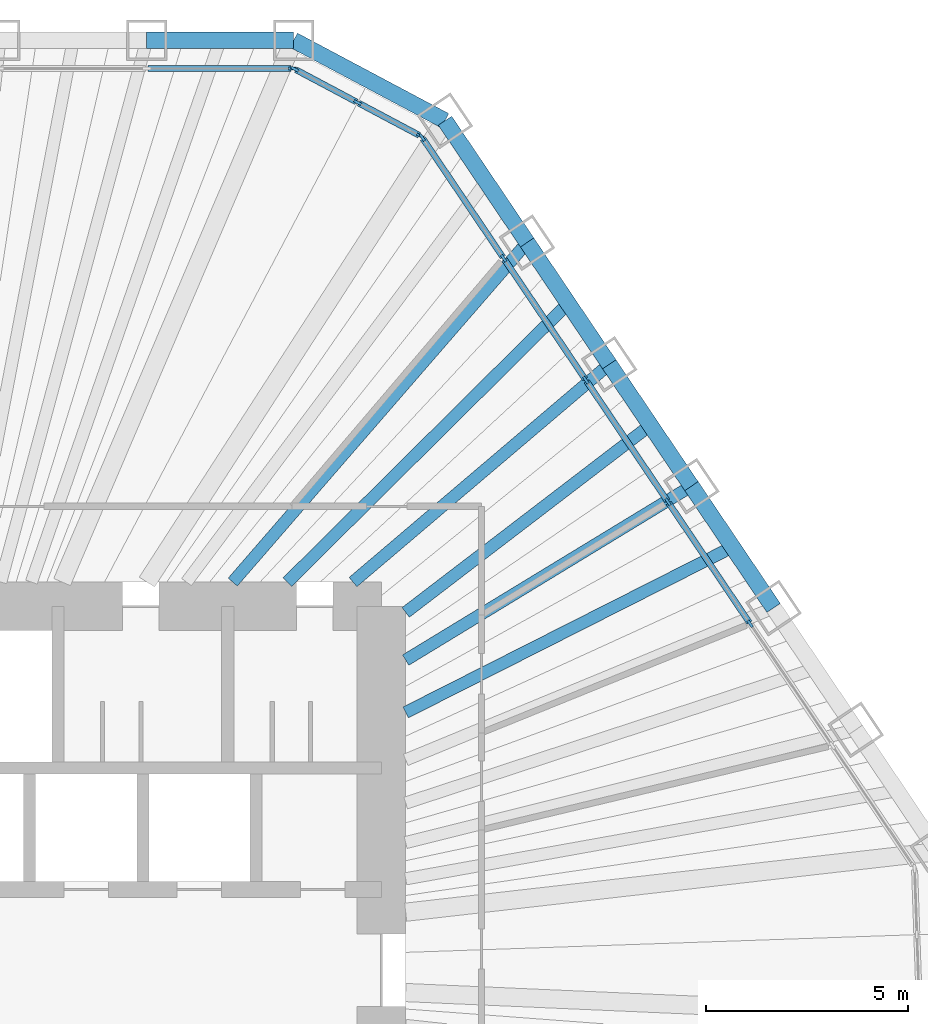
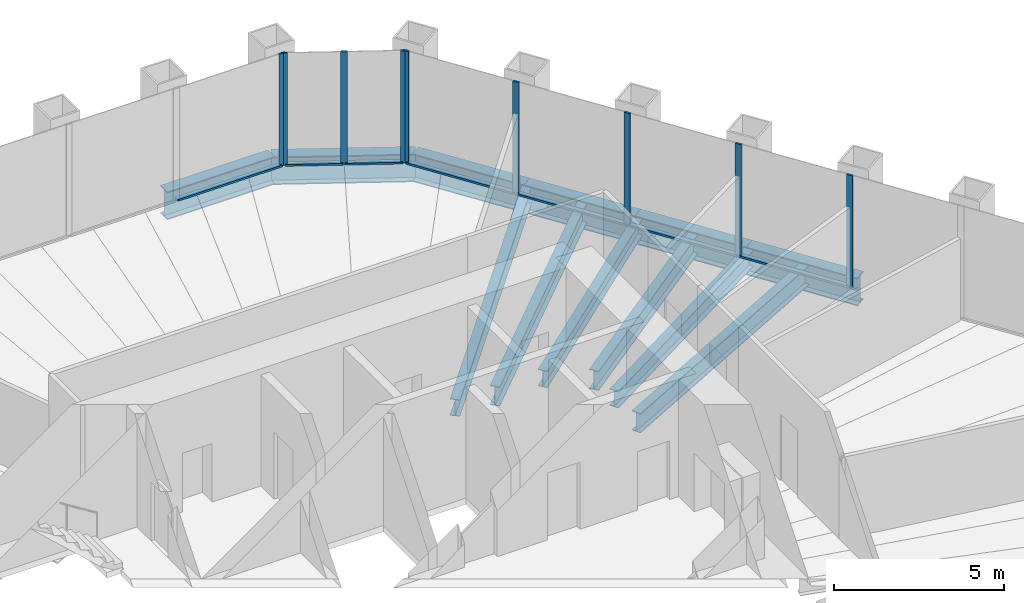
# One storey, part 7 of 13: 16 members, 12 beams, 3 elements without a shape of their own.
"""IFC4 building model written with IfcOpenShell, lengths in metres."""

from ifc_helpers import new_model, si_unit, direction, frame, origin, origin_2d, place, context, subcontext, project, spatial, rectangle, i_section, extrude, material, material_profile, profile_set, type_object, element, aggregate, save


model = new_model("IFC4")

# Units and contexts
model_context = context("Model", 3, precision=1e-05, world=origin(), true_north=direction((0.0, 1.0)))
body_context = subcontext(model_context, "Body", "Model", "MODEL_VIEW")
ifc_project = project(units=[si_unit("LENGTHUNIT", "METRE"), si_unit("AREAUNIT", "SQUARE_METRE"), si_unit("VOLUMEUNIT", "CUBIC_METRE"), si_unit("PLANEANGLEUNIT", "RADIAN"), si_unit("MASSUNIT", "GRAM", prefix="KILO")], contexts=[model_context])

# Site, building, storey
site_placement = place(None, origin())
site = spatial("IfcSite", under=ifc_project, at=site_placement, CompositionType="ELEMENT")
building_placement = place(site_placement, origin())
building = spatial("IfcBuilding", under=site, at=building_placement, Name="Qingtian Harvest Tower", CompositionType="ELEMENT")
storey_placement = place(building_placement, frame((0.0, 0.0, 247.60009765625)))
storey = spatial("IfcBuildingStorey", under=building, at=storey_placement, Name="L54", CompositionType="ELEMENT", Elevation=247.60009765625)

# Beams
ifc_material_1 = material(Name="Steel SN490B", Category="steel")
ifc_material_profile_1 = material_profile(ifc_material_1, i_section(OverallWidth=0.300048828125, OverallDepth=0.60009765625, WebThickness=0.011962890625, FlangeThickness=0.02001953125, at=origin_2d()), Name="H600x300x12x20")
ifc_profile_set_1 = profile_set([ifc_material_profile_1], Name="Steel SN490B")
beam_type_1 = type_object("IfcBeamType", Name="Floor beam FB3 H600x300x12x20", PredefinedType="BEAM", material=ifc_profile_set_1)
beam_1_placement = place(storey_placement, frame((15.603271484375, 17.998046875, -0.47021484375), z_axis=(-0.655048444444, -0.755586881458, 0.0), x_axis=(0.755586881458, -0.655048444444, 0.0)))
element("IfcBeam", 1, at=beam_1_placement, inside=storey, type_object=beam_type_1, Name="Floor beam FB3 NE1", PredefinedType="BEAM", context=body_context, shape_type="SweptSolid", body=[
    extrude(i_section(OverallWidth=0.300048828125, OverallDepth=0.60009765625, WebThickness=0.011962890625, FlangeThickness=0.02001953125, at=origin_2d()), origin(), (0.0, 0.0, 1.0), 11.114501953125),
])
beam_2_placement = place(storey_placement, frame((17.635009765625, 14.985595703125, -0.47021484375), z_axis=(-0.762028398305, -0.647543604846, 0.0), x_axis=(0.647543604846, -0.762028398305, 0.0)))
element("IfcBeam", 2, at=beam_2_placement, inside=storey, type_object=beam_type_1, Name="Floor beam FB3 NE2", PredefinedType="BEAM", context=body_context, shape_type="SweptSolid", body=[
    extrude(i_section(OverallWidth=0.300048828125, OverallDepth=0.60009765625, WebThickness=0.011962890625, FlangeThickness=0.02001953125, at=origin_2d()), origin(), (0.0, 0.0, 1.0), 8.31689453125),
])
beam_3_placement = place(storey_placement, frame((19.6669921875, 11.97314453125, -0.47021484375), z_axis=(-0.854163224424, -0.520004986554, 0.0), x_axis=(0.520004986554, -0.854163224424, 0.0)))
element("IfcBeam", 3, at=beam_3_placement, inside=storey, type_object=beam_type_1, Name="Floor beam FB3 NE3", PredefinedType="BEAM", context=body_context, shape_type="SweptSolid", body=[
    extrude(i_section(OverallWidth=0.300048828125, OverallDepth=0.60009765625, WebThickness=0.011962890625, FlangeThickness=0.02001953125, at=origin_2d()), origin(), (0.0, 0.0, 1.0), 8.2734375),
])
ifc_material_2 = material(Name="Steel SN490B", Category="steel")
ifc_material_profile_2 = material_profile(ifc_material_2, i_section(OverallWidth=0.300048828125, OverallDepth=0.699951171875, WebThickness=0.012939453125, FlangeThickness=0.02392578125, at=origin_2d()), Name="H700x300x13x24")
ifc_profile_set_2 = profile_set([ifc_material_profile_2], Name="Steel SN490B")
beam_type_2 = type_object("IfcBeamType", Name="Floor joist J2 H700x300x13x24", PredefinedType="JOIST", material=ifc_profile_set_2)
beam_4_placement = place(storey_placement, frame((16.619140625, 16.49169921875, -0.52001953125), z_axis=(-0.709833839663, -0.704369164622, 0.0), x_axis=(0.704369164622, -0.709833839663, 0.0)))
element("IfcBeam", 4, at=beam_4_placement, inside=storey, type_object=beam_type_2, Name="Floor joist J2 NE1", PredefinedType="JOIST", context=body_context, shape_type="SweptSolid", body=[
    extrude(i_section(OverallWidth=0.300048828125, OverallDepth=0.699951171875, WebThickness=0.012939453125, FlangeThickness=0.02392578125, at=origin_2d()), origin(), (0.0, 0.0, 1.0), 9.7841796875),
])
beam_5_placement = place(storey_placement, frame((18.651123046875, 13.4794921875, -0.52001953125), z_axis=(-0.794222288871, -0.607627316585, 0.0), x_axis=(0.607627316585, -0.794222288871, 0.0)))
element("IfcBeam", 5, at=beam_5_placement, inside=storey, type_object=beam_type_2, Name="Floor joist J2 NE2", PredefinedType="JOIST", context=body_context, shape_type="SweptSolid", body=[
    extrude(i_section(OverallWidth=0.300048828125, OverallDepth=0.699951171875, WebThickness=0.012939453125, FlangeThickness=0.02392578125, at=origin_2d()), origin(), (0.0, 0.0, 1.0), 7.618896484375),
])
beam_6_placement = place(storey_placement, frame((20.682861328125, 10.467041015625, -0.52001953125), z_axis=(-0.892244443914, -0.451552712652, 0.0), x_axis=(0.451552712652, -0.892244443914, 0.0)))
element("IfcBeam", 6, at=beam_6_placement, inside=storey, type_object=beam_type_2, Name="Floor joist J2 NE3", PredefinedType="JOIST", context=body_context, shape_type="SweptSolid", body=[
    extrude(i_section(OverallWidth=0.300048828125, OverallDepth=0.699951171875, WebThickness=0.012939453125, FlangeThickness=0.02392578125, at=origin_2d()), origin(), (0.0, 0.0, 1.0), 9.058837890625),
])

# Curtain wall, member
ifc_material_3 = material(Name="Bronze-anodised aluminium curtain wall", Category="aluminium")
curtain_wall_type = type_object("IfcCurtainWallType", Name="Curtain wall CW4 office", PredefinedType="USERDEFINED", material=ifc_material_3)
curtain_wall_1_placement = place(storey_placement, origin())
curtain_wall_1 = element("IfcCurtainWall", 7, at=curtain_wall_1_placement, inside=storey, type_object=curtain_wall_type, Name="Curtain wall CW4 L54 N0-5", ObjectType="RECESSED CURTAIN WALL", PredefinedType="USERDEFINED")
ifc_material_4 = material(Name="Bronze-anodised aluminium mullion", Category="aluminium")
ifc_material_profile_3 = material_profile(ifc_material_4, rectangle(XDim=0.06494140625, YDim=0.199951171875, at=origin_2d()), Name="AL 65x200")
ifc_profile_set_3 = profile_set([ifc_material_profile_3], Name="Bronze-anodised aluminium mullion")
member_type_1 = type_object("IfcMemberType", Name="Mullion CWM 65x200", PredefinedType="MULLION", material=ifc_profile_set_3)
member_1_placement = place(storey_placement, frame((9.796875, 22.300048828125, 0.0), z_axis=(0.0, 0.0, 1.0), x_axis=(0.0, 1.0, 0.0)))
member_1 = element("IfcMember", 8, at=member_1_placement, type_object=member_type_1, Name="CW4 mullion 7", PredefinedType="MULLION", context=body_context, shape_type="SweptSolid", body=[
    extrude(rectangle(XDim=0.06494140625, YDim=0.199951171875, at=origin_2d()), origin(), (0.0, 0.0, 1.0), 4.02978515625),
])

# Curtain wall, members
curtain_wall_2_placement = place(storey_placement, origin())
curtain_wall_2 = element("IfcCurtainWall", 9, at=curtain_wall_2_placement, inside=storey, type_object=curtain_wall_type, Name="Curtain wall CW4 L54 NC", ObjectType="RECESSED CURTAIN WALL", PredefinedType="USERDEFINED")
member_2_placement = place(storey_placement, frame((9.85791015625, 22.28466796875, 0.0), z_axis=(0.0, 0.0, 1.0), x_axis=(0.469471562786, 0.882947592859, 0.0)))
member_2 = element("IfcMember", 10, at=member_2_placement, type_object=member_type_1, Name="CW4 mullion 1", PredefinedType="MULLION", context=body_context, shape_type="SweptSolid", body=[
    extrude(rectangle(XDim=0.06494140625, YDim=0.199951171875, at=origin_2d()), origin(), (0.0, 0.0, 1.0), 4.02978515625),
])
member_3_placement = place(storey_placement, frame((11.41015625, 21.45947265625, 0.0), z_axis=(0.0, 0.0, 1.0), x_axis=(0.469471562786, 0.882947592859, 0.0)))
member_3 = element("IfcMember", 11, at=member_3_placement, type_object=member_type_1, Name="CW4 mullion 2", PredefinedType="MULLION", context=body_context, shape_type="SweptSolid", body=[
    extrude(rectangle(XDim=0.06494140625, YDim=0.199951171875, at=origin_2d()), origin(), (0.0, 0.0, 1.0), 4.02978515625),
])
member_4_placement = place(storey_placement, frame((12.96240234375, 20.634033203125, 0.0), z_axis=(0.0, 0.0, 1.0), x_axis=(0.469471562786, 0.882947592859, 0.0)))
member_4 = element("IfcMember", 12, at=member_4_placement, type_object=member_type_1, Name="CW4 mullion 3", PredefinedType="MULLION", context=body_context, shape_type="SweptSolid", body=[
    extrude(rectangle(XDim=0.06494140625, YDim=0.199951171875, at=origin_2d()), origin(), (0.0, 0.0, 1.0), 4.02978515625),
])

curtain_wall_3_placement = place(storey_placement, origin())
curtain_wall_3 = element("IfcCurtainWall", 13, at=curtain_wall_3_placement, inside=storey, type_object=curtain_wall_type, Name="Curtain wall CW4 L54 NE0-5", ObjectType="RECESSED CURTAIN WALL", PredefinedType="USERDEFINED")
member_5_placement = place(storey_placement, frame((13.00927734375, 20.592041015625, 0.0), z_axis=(0.0, 0.0, 1.0), x_axis=(0.829037572555, 0.559192903471, 0.0)))
member_5 = element("IfcMember", 14, at=member_5_placement, type_object=member_type_1, Name="CW4 mullion 1", PredefinedType="MULLION", context=body_context, shape_type="SweptSolid", body=[
    extrude(rectangle(XDim=0.06494140625, YDim=0.199951171875, at=origin_2d()), origin(), (0.0, 0.0, 1.0), 4.02978515625),
])
member_6_placement = place(storey_placement, frame((15.02294921875, 17.6064453125, 0.0), z_axis=(0.0, 0.0, 1.0), x_axis=(0.829037572555, 0.559192903471, 0.0)))
member_6 = element("IfcMember", 15, at=member_6_placement, type_object=member_type_1, Name="CW4 mullion 2", PredefinedType="MULLION", context=body_context, shape_type="SweptSolid", body=[
    extrude(rectangle(XDim=0.06494140625, YDim=0.199951171875, at=origin_2d()), origin(), (0.0, 0.0, 1.0), 4.02978515625),
])
member_7_placement = place(storey_placement, frame((17.0546875, 14.59423828125, 0.0), z_axis=(0.0, 0.0, 1.0), x_axis=(0.829037572555, 0.559192903471, 0.0)))
member_7 = element("IfcMember", 16, at=member_7_placement, type_object=member_type_1, Name="CW4 mullion 3", PredefinedType="MULLION", context=body_context, shape_type="SweptSolid", body=[
    extrude(rectangle(XDim=0.06494140625, YDim=0.199951171875, at=origin_2d()), origin(), (0.0, 0.0, 1.0), 4.02978515625),
])
member_8_placement = place(storey_placement, frame((19.086669921875, 11.581787109375, 0.0), z_axis=(0.0, 0.0, 1.0), x_axis=(0.829037572555, 0.559192903471, 0.0)))
member_8 = element("IfcMember", 17, at=member_8_placement, type_object=member_type_1, Name="CW4 mullion 4", PredefinedType="MULLION", context=body_context, shape_type="SweptSolid", body=[
    extrude(rectangle(XDim=0.06494140625, YDim=0.199951171875, at=origin_2d()), origin(), (0.0, 0.0, 1.0), 4.02978515625),
])
member_9_placement = place(storey_placement, frame((21.118408203125, 8.569580078125, 0.0), z_axis=(0.0, 0.0, 1.0), x_axis=(0.829037572555, 0.559192903471, 0.0)))
member_9 = element("IfcMember", 18, at=member_9_placement, type_object=member_type_1, Name="CW4 mullion 5", PredefinedType="MULLION", context=body_context, shape_type="SweptSolid", body=[
    extrude(rectangle(XDim=0.06494140625, YDim=0.199951171875, at=origin_2d()), origin(), (0.0, 0.0, 1.0), 4.02978515625),
])

# Beams
ifc_material_5 = material(Name="Steel SN490B", Category="steel")
ifc_material_profile_4 = material_profile(ifc_material_5, i_section(OverallWidth=0.39990234375, OverallDepth=1.0, WebThickness=0.01904296875, FlangeThickness=0.035888671875, at=origin_2d()), Name="H1000x400x19x36")
ifc_profile_set_4 = profile_set([ifc_material_profile_4], Name="Steel SN490B")
beam_type_3 = type_object("IfcBeamType", Name="Spandrel beam SB3 H1000x400x19x36", PredefinedType="SPANDREL", material=ifc_profile_set_4)
beam_7_placement = place(storey_placement, frame((6.19580078125, 23.0, -0.5), z_axis=(1.0, 0.0, 0.0), x_axis=(0.0, 1.0, 0.0)))
element("IfcBeam", 19, at=beam_7_placement, inside=storey, type_object=beam_type_3, Name="Spandrel SB3 N5", PredefinedType="SPANDREL", context=body_context, shape_type="SweptSolid", body=[
    extrude(i_section(OverallWidth=0.39990234375, OverallDepth=1.0, WebThickness=0.01904296875, FlangeThickness=0.035888671875, at=origin_2d()), origin(), (0.0, 0.0, 1.0), 3.633544921875),
])
beam_8_placement = place(storey_placement, frame((9.829345703125, 23.0, -0.5), z_axis=(0.882935902835, -0.469493547863, 0.0), x_axis=(0.469493547863, 0.882935902835, 0.0)))
element("IfcBeam", 20, at=beam_8_placement, inside=storey, type_object=beam_type_3, Name="Spandrel SB3 NC", PredefinedType="SPANDREL", context=body_context, shape_type="SweptSolid", body=[
    extrude(i_section(OverallWidth=0.39990234375, OverallDepth=1.0, WebThickness=0.01904296875, FlangeThickness=0.035888671875, at=origin_2d()), origin(), (0.0, 0.0, 1.0), 4.238037109375),
])
for number, where, z_axis, x_axis, name in (
    (21, (13.5712890625, 21.01025390625, -0.5), (0.559235108412, -0.829009103399, 0.0), (0.829009103399, 0.559235108412, 0.0), "Spandrel SB3 NE0"),
    (22, (15.603271484375, 17.998046875, -0.5), (0.55915777886, -0.829061263321, 0.0), (0.829061263321, 0.55915777886, 0.0), "Spandrel SB3 NE1"),
):
    element("IfcBeam", number, at=place(storey_placement, frame(where, z_axis=z_axis, x_axis=x_axis)), inside=storey, type_object=beam_type_3, Name=name, PredefinedType="SPANDREL", context=body_context, shape_type="SweptSolid", body=[
        extrude(i_section(OverallWidth=0.39990234375, OverallDepth=1.0, WebThickness=0.01904296875, FlangeThickness=0.035888671875, at=origin_2d()), origin(), (0.0, 0.0, 1.0), 3.633544921875),
    ])
beam_9_placement = place(storey_placement, frame((17.635009765625, 14.985595703125, -0.5), z_axis=(0.55920395902, -0.829030115385, 0.0), x_axis=(0.829030115385, 0.55920395902, 0.0)))
element("IfcBeam", 23, at=beam_9_placement, inside=storey, type_object=beam_type_3, Name="Spandrel SB3 NE2", PredefinedType="SPANDREL", context=body_context, shape_type="SweptSolid", body=[
    extrude(i_section(OverallWidth=0.39990234375, OverallDepth=1.0, WebThickness=0.01904296875, FlangeThickness=0.035888671875, at=origin_2d()), origin(), (0.0, 0.0, 1.0), 3.6337890625),
])
beam_10_placement = place(storey_placement, frame((19.6669921875, 11.97314453125, -0.5), z_axis=(0.559188928021, -0.829040254016, 0.0), x_axis=(0.829040254016, 0.559188928021, 0.0)))
element("IfcBeam", 24, at=beam_10_placement, inside=storey, type_object=beam_type_3, Name="Spandrel SB3 NE3", PredefinedType="SPANDREL", context=body_context, shape_type="SweptSolid", body=[
    extrude(i_section(OverallWidth=0.39990234375, OverallDepth=1.0, WebThickness=0.01904296875, FlangeThickness=0.035888671875, at=origin_2d()), origin(), (0.0, 0.0, 1.0), 3.63330078125),
])

# Member
ifc_material_6 = material(Name="Bronze-anodised aluminium transom", Category="aluminium")
ifc_material_profile_5 = material_profile(ifc_material_6, rectangle(XDim=0.14990234375, YDim=0.06494140625, at=origin_2d()), Name="AL 65x150")
ifc_profile_set_5 = profile_set([ifc_material_profile_5], Name="Bronze-anodised aluminium transom")
member_type_2 = type_object("IfcMemberType", Name="Transom CWT 65x150", PredefinedType="USERDEFINED", material=ifc_profile_set_5)
member_10_placement = place(storey_placement, frame((6.228271484375, 22.300048828125, 0.032470703125), z_axis=(1.0, 0.0, 0.0), x_axis=(0.0, 1.0, 0.0)))
member_10 = element("IfcMember", 25, at=member_10_placement, type_object=member_type_2, Name="CW4 transom 6.1", ObjectType="TRANSOM", PredefinedType="USERDEFINED", context=body_context, shape_type="SweptSolid", body=[
    extrude(rectangle(XDim=0.14990234375, YDim=0.06494140625, at=origin_2d()), origin(), (0.0, 0.0, 1.0), 3.5361328125),
])

aggregate(curtain_wall_1, [member_1, member_10])

member_11_placement = place(storey_placement, frame((9.88671875, 22.26953125, 0.032470703125), z_axis=(0.882927080927, -0.469510138086, 0.0), x_axis=(0.469510138086, 0.882927080927, 0.0)))
member_11 = element("IfcMember", 26, at=member_11_placement, type_object=member_type_2, Name="CW4 transom 1.1", ObjectType="TRANSOM", PredefinedType="USERDEFINED", context=body_context, shape_type="SweptSolid", body=[
    extrude(rectangle(XDim=0.14990234375, YDim=0.06494140625, at=origin_2d()), origin(), (0.0, 0.0, 1.0), 1.693115234375),
])

member_12_placement = place(storey_placement, frame((11.43896484375, 21.444091796875, 0.032470703125), z_axis=(0.882955074232, -0.469457492098, 0.0), x_axis=(0.469457492098, 0.882955074232, 0.0)))
member_12 = element("IfcMember", 27, at=member_12_placement, type_object=member_type_2, Name="CW4 transom 2.1", ObjectType="TRANSOM", PredefinedType="USERDEFINED", context=body_context, shape_type="SweptSolid", body=[
    extrude(rectangle(XDim=0.14990234375, YDim=0.06494140625, at=origin_2d()), origin(), (0.0, 0.0, 1.0), 1.69287109375),
])

aggregate(curtain_wall_2, [member_2, member_3, member_4, member_11, member_12])

member_13_placement = place(storey_placement, frame((13.02734375, 20.56494140625, 0.032470703125), z_axis=(0.559201266891, -0.829031931295, 0.0), x_axis=(0.829031931295, 0.559201266891, 0.0)))
member_13 = element("IfcMember", 28, at=member_13_placement, type_object=member_type_2, Name="CW4 transom 1.1", ObjectType="TRANSOM", PredefinedType="USERDEFINED", context=body_context, shape_type="SweptSolid", body=[
    extrude(rectangle(XDim=0.14990234375, YDim=0.06494140625, at=origin_2d()), origin(), (0.0, 0.0, 1.0), 3.535888671875),
])

member_14_placement = place(storey_placement, frame((15.041015625, 17.57958984375, 0.032470703125), z_axis=(0.559207281901, -0.829027874, 0.0), x_axis=(0.829027874, 0.559207281901, 0.0)))
member_14 = element("IfcMember", 29, at=member_14_placement, type_object=member_type_2, Name="CW4 transom 2.1", ObjectType="TRANSOM", PredefinedType="USERDEFINED", context=body_context, shape_type="SweptSolid", body=[
    extrude(rectangle(XDim=0.14990234375, YDim=0.06494140625, at=origin_2d()), origin(), (0.0, 0.0, 1.0), 3.568603515625),
])

member_15_placement = place(storey_placement, frame((17.072998046875, 14.567138671875, 0.032470703125), z_axis=(0.559191977147, -0.829038197368, 0.0), x_axis=(0.829038197368, 0.559191977147, 0.0)))
member_15 = element("IfcMember", 30, at=member_15_placement, type_object=member_type_2, Name="CW4 transom 3.1", ObjectType="TRANSOM", PredefinedType="USERDEFINED", context=body_context, shape_type="SweptSolid", body=[
    extrude(rectangle(XDim=0.14990234375, YDim=0.06494140625, at=origin_2d()), origin(), (0.0, 0.0, 1.0), 3.568359375),
])

member_16_placement = place(storey_placement, frame((19.104736328125, 11.554931640625, 0.032470703125), z_axis=(0.559207281901, -0.829027874, 0.0), x_axis=(0.829027874, 0.559207281901, 0.0)))
member_16 = element("IfcMember", 31, at=member_16_placement, type_object=member_type_2, Name="CW4 transom 4.1", ObjectType="TRANSOM", PredefinedType="USERDEFINED", context=body_context, shape_type="SweptSolid", body=[
    extrude(rectangle(XDim=0.14990234375, YDim=0.06494140625, at=origin_2d()), origin(), (0.0, 0.0, 1.0), 3.568603515625),
])

aggregate(curtain_wall_3, [member_5, member_6, member_7, member_8, member_9, member_13, member_14, member_15, member_16])

save(model, "model.ifc")
